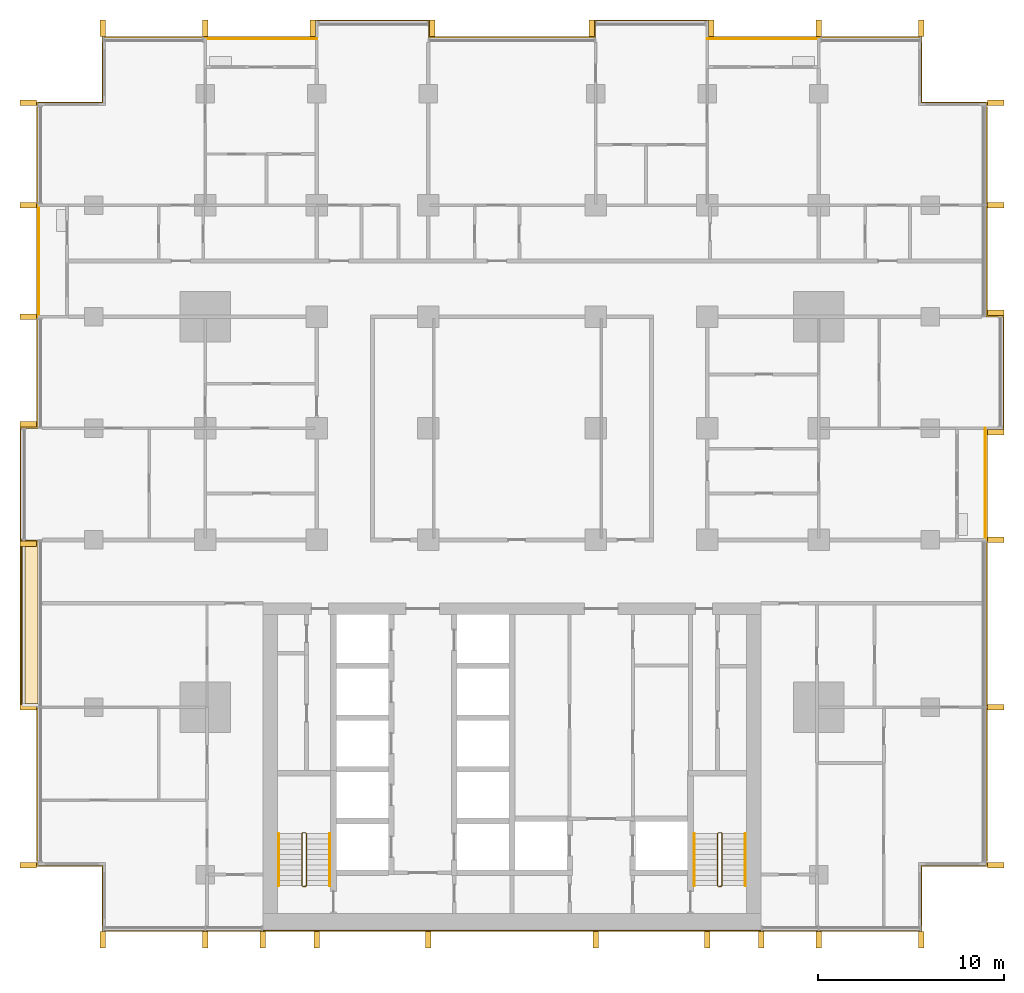
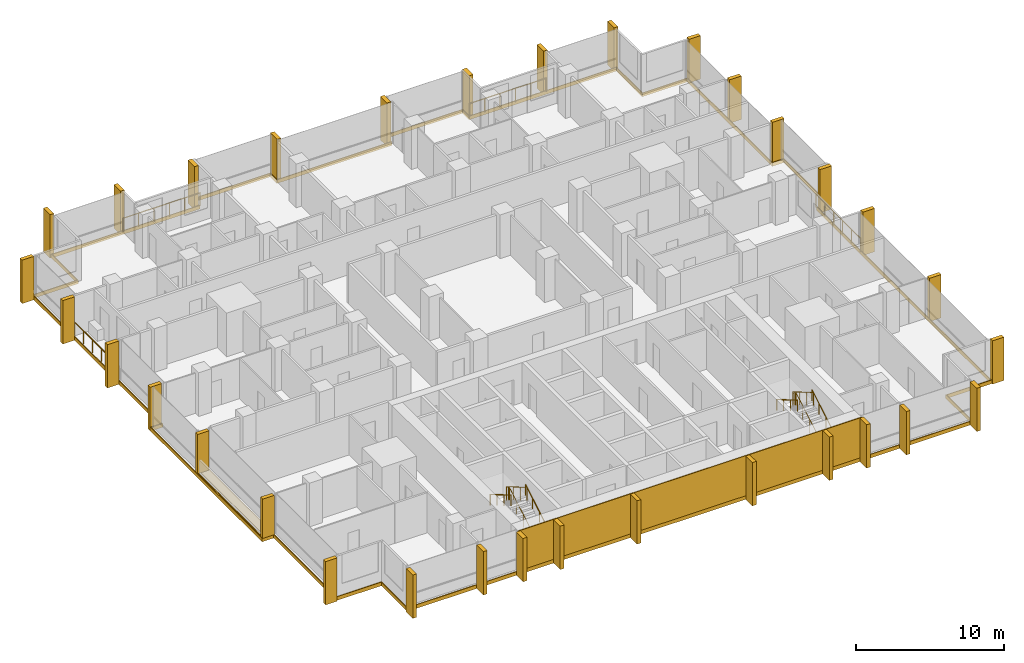
# One storey, part 18 of 18: 32 shading devices, 10 railings, 8 coverings.
"""IFC4 building model written with IfcOpenShell, lengths in metres."""

import ifcopenshell
import ifcopenshell.guid

model = None  # the IFC model being written
_history = None  # IfcOwnerHistory: only IFC2X3 demands one
_inside = {}  # id of a spatial element -> (the spatial element, [elements in it])
_under = {}  # id of a project, library or spatial element -> (it, [spatial elements below it])
_declared = {}  # id of a project -> (the project, [libraries it declares])
_typed = {}  # id of a type object -> (the type object, [elements of that type])
_made_of = {}  # id of a material, layer set ... -> (it, [elements and type objects made of it])


def new_model(schema):
    """Start an empty IFC model of exactly this schema.

    Asked for "IFC4X3", IfcOpenShell would pick the latest addendum, in which some entities
    have other attributes; the version numbers below select the first issue.
    IFC2X3 requires an IfcOwnerHistory on every rooted entity: one is made here for all.
    """
    global model, _history
    if schema == "IFC4X3":
        model = ifcopenshell.file(schema_version=(4, 3, 0, 0))
    else:
        model = ifcopenshell.file(schema=schema)
    _inside.clear()
    _under.clear()
    _declared.clear()
    _typed.clear()
    _made_of.clear()
    _history = None
    if model.schema == "IFC2X3":
        org = make("IfcOrganization", Name="unknown")
        user = make(
            "IfcPersonAndOrganization",
            ThePerson=make("IfcPerson", FamilyName="unknown"),
            TheOrganization=org,
        )
        app = make(
            "IfcApplication",
            ApplicationDeveloper=org,
            Version="unknown",
            ApplicationFullName="unknown",
            ApplicationIdentifier="unknown",
        )
        _history = make(
            "IfcOwnerHistory",
            OwningUser=user,
            OwningApplication=app,
            ChangeAction="ADDED",
            CreationDate=0,
        )
    return model


def make(cls, **values):
    """One entity of the class cls with the attributes given. An attribute that is None is left unset."""
    return model.create_entity(
        cls, **{name: value for name, value in values.items() if value is not None}
    )


def rooted(cls, **values):
    """An entity with a GlobalId (a new one), such as an element, a storey or a relation."""
    return make(cls, GlobalId=ifcopenshell.guid.new(), OwnerHistory=_history, **values)


def si_unit(unit_type, name, prefix=None):
    """IfcSIUnit, for example si_unit("LENGTHUNIT", "METRE", prefix="MILLI")."""
    return make("IfcSIUnit", UnitType=unit_type, Prefix=prefix, Name=name)


def assignment(units):
    """IfcUnitAssignment: the units of a project."""
    return None if units is None else make("IfcUnitAssignment", Units=units)


def point(xyz):
    """IfcCartesianPoint."""
    return None if xyz is None else make("IfcCartesianPoint", Coordinates=xyz)


def direction(xyz):
    """IfcDirection."""
    return None if xyz is None else make("IfcDirection", DirectionRatios=xyz)


def frame(location, z_axis=None, x_axis=None):
    """IfcAxis2Placement3D, a coordinate frame: its origin and axes. An axis left out is left unset."""
    return make(
        "IfcAxis2Placement3D",
        Location=point(location),
        Axis=direction(z_axis),
        RefDirection=direction(x_axis),
    )


def frame_2d(location, x_axis=None):
    """IfcAxis2Placement2D, a coordinate frame in the plane: its origin and x axis."""
    return make(
        "IfcAxis2Placement2D", Location=point(location), RefDirection=direction(x_axis)
    )


def origin():
    """The frame at (0, 0, 0) with its axes left unset."""
    return frame((0.0, 0.0, 0.0))


def origin_2d():
    """The frame at (0, 0) in the plane with its x axis left unset."""
    return frame_2d((0.0, 0.0))


def place(relative_to, where):
    """IfcLocalPlacement: puts the frame where relative to a parent placement (None: the world)."""
    return make(
        "IfcLocalPlacement", PlacementRelTo=relative_to, RelativePlacement=where
    )


def context(
    kind, dimensions, precision=None, world=None, true_north=None, identifier=None
):
    """IfcGeometricRepresentationContext, for example the 3D "Model" context."""
    return make(
        "IfcGeometricRepresentationContext",
        ContextIdentifier=identifier,
        ContextType=kind,
        CoordinateSpaceDimension=dimensions,
        Precision=precision,
        WorldCoordinateSystem=world,
        TrueNorth=true_north,
    )


def subcontext(parent, identifier, kind, view, scale=None):
    """IfcGeometricRepresentationSubContext, for example "Body" below "Model"."""
    return make(
        "IfcGeometricRepresentationSubContext",
        ContextIdentifier=identifier,
        ContextType=kind,
        ParentContext=parent,
        TargetScale=scale,
        TargetView=view,
    )


def project(units=None, contexts=None):
    """IfcProject with its units and contexts."""
    return rooted(
        "IfcProject",
        Name="project",
        RepresentationContexts=contexts,
        UnitsInContext=assignment(units),
    )


def spatial(cls, under=None, at=None, **own):
    """A site, building, storey or space (cls), placed at a placement, below another one or the project."""
    s = rooted(cls, ObjectPlacement=at, **own)
    if under is not None:
        _under.setdefault(under.id(), (under, []))[1].append(s)
    return s


def polyline(points):
    """IfcPolyline through the points."""
    return make("IfcPolyline", Points=[point(p) for p in points])


def profile(cls, at=None, kind="AREA", **sizes):
    """A parametric profile (cls). Its sizes go by their IFC names, for example OverallWidth=200.0."""
    return make(cls, ProfileType=kind, Position=at, **sizes)


def rectangle(**sizes):
    """IfcRectangleProfileDef."""
    return profile("IfcRectangleProfileDef", **sizes)


def circle(**sizes):
    """IfcCircleProfileDef."""
    return profile("IfcCircleProfileDef", **sizes)


def outline(outer, holes=None, kind="AREA"):
    """IfcArbitraryClosedProfileDef: a profile drawn as a closed curve; with holes, ...WithVoids."""
    if holes is None:
        return make("IfcArbitraryClosedProfileDef", ProfileType=kind, OuterCurve=outer)
    return make(
        "IfcArbitraryProfileDefWithVoids",
        ProfileType=kind,
        OuterCurve=outer,
        InnerCurves=holes,
    )


def extrude(swept, where, along, depth):
    """IfcExtrudedAreaSolid: the profile swept, set in the frame where, extruded along a direction by depth."""
    return make(
        "IfcExtrudedAreaSolid",
        SweptArea=swept,
        Position=where,
        ExtrudedDirection=direction(along),
        Depth=depth,
    )


def shape(context_of_items, identifier, shape_type, items):
    """IfcShapeRepresentation: the items that make up one representation, for example the "Body"."""
    return make(
        "IfcShapeRepresentation",
        ContextOfItems=context_of_items,
        RepresentationIdentifier=identifier,
        RepresentationType=shape_type,
        Items=items,
    )


def material(Name=None, Category=None):
    """IfcMaterial."""
    return make("IfcMaterial", Name=Name, Category=Category)


def layer(
    of_material, thickness, ventilated=None, Name=None, Category=None, Priority=None
):
    """IfcMaterialLayer: one layer of a wall or slab, of a material (None: an air gap)."""
    return make(
        "IfcMaterialLayer",
        Material=of_material,
        LayerThickness=thickness,
        IsVentilated=ventilated,
        Name=Name,
        Category=Category,
        Priority=Priority,
    )


def layer_set(layers, Name=None):
    """IfcMaterialLayerSet."""
    return make("IfcMaterialLayerSet", MaterialLayers=layers, LayerSetName=Name)


def made_of(thing, what):
    """Note that an element or type object is made of a material, layer set ...; save() writes the relation."""
    if what is not None:
        _made_of.setdefault(what.id(), (what, []))[1].append(thing)
    return thing


def type_object(cls, material=None, **own):
    """A type object (cls), such as IfcWallType, which elements share."""
    return made_of(rooted(cls, **own), material)


def element(
    cls,
    number,
    at=None,
    inside=None,
    cuts=None,
    type_object=None,
    material=None,
    context=None,
    identifier="Body",
    shape_type=None,
    held_by="IfcProductDefinitionShape",
    body=None,
    shapes=None,
    **own,
):
    """One element of the class cls, such as IfcWall. Its Tag is "e" and its number.

    at: its placement. inside: the storey or other place that contains it. cuts: it is an
    opening in that element (IfcRelVoidsElement). A single representation is given by context,
    identifier, shape_type and body (its items); several are given by shapes. held_by: the class
    of the entity that holds the representations. save() writes the other relations.
    """
    e = rooted(cls, Tag="e%d" % number, ObjectPlacement=at, **own)
    if body is not None:
        shapes = [shape(context, identifier, shape_type, body)]
    if shapes is not None:
        e.Representation = make(held_by, Representations=shapes)
    if inside is not None:
        _inside.setdefault(inside.id(), (inside, []))[1].append(e)
    if cuts is not None:
        rooted(
            "IfcRelVoidsElement", RelatingBuildingElement=cuts, RelatedOpeningElement=e
        )
    if type_object is not None:
        _typed.setdefault(type_object.id(), (type_object, []))[1].append(e)
    return made_of(e, material)


def aggregate(whole, parts):
    """IfcRelAggregates: a whole, such as a stair, and the parts it consists of."""
    return rooted("IfcRelAggregates", RelatingObject=whole, RelatedObjects=parts)


def save(model, path):
    """Write the relations noted so far, then the file.

    IfcRelAggregates (storeys below a building ...), IfcRelContainedInSpatialStructure (elements
    in a storey), IfcRelDefinesByType, IfcRelAssociatesMaterial and IfcRelDeclares: one each for
    every whole, place, type object, material and project.
    """
    for whole, parts in _under.values():
        aggregate(whole, parts)
    for where, things in _inside.values():
        rooted(
            "IfcRelContainedInSpatialStructure",
            RelatedElements=things,
            RelatingStructure=where,
        )
    for kind, things in _typed.values():
        rooted("IfcRelDefinesByType", RelatedObjects=things, RelatingType=kind)
    for what, things in _made_of.values():
        rooted("IfcRelAssociatesMaterial", RelatedObjects=things, RelatingMaterial=what)
    for by, libraries in _declared.values():
        rooted("IfcRelDeclares", RelatingContext=by, RelatedDefinitions=libraries)
    model.write(path)


model = new_model("IFC4")

# Units and contexts
model_context = context("Model", 3, precision=1e-05, world=origin(), true_north=direction((0.0, 1.0)))
body_context = subcontext(model_context, "Body", "Model", "MODEL_VIEW")
ifc_project = project(units=[si_unit("LENGTHUNIT", "METRE"), si_unit("AREAUNIT", "SQUARE_METRE"), si_unit("VOLUMEUNIT", "CUBIC_METRE"), si_unit("PLANEANGLEUNIT", "RADIAN"), si_unit("MASSUNIT", "GRAM", prefix="KILO")], contexts=[model_context])

# Site, building, storey
site_placement = place(None, origin())
site = spatial("IfcSite", under=ifc_project, at=site_placement, CompositionType="ELEMENT")
building_placement = place(site_placement, origin())
building = spatial("IfcBuilding", under=site, at=building_placement, Name="Finial Court Residences", CompositionType="ELEMENT")
storey_placement = place(building_placement, frame((0.0, 0.0, 84.699951171875)))
storey = spatial("IfcBuildingStorey", under=building, at=storey_placement, Name="L20", CompositionType="ELEMENT", Elevation=84.699951171875)

# Railings
ifc_material_1 = material(Name="Bronze anodised aluminium", Category="aluminium")
railing_type_1 = type_object("IfcRailingType", Name="Balcony guard 1100", PredefinedType="GUARDRAIL", material=ifc_material_1)
for number, where, name in (
    (1, (-16.5, 22.449951171875, 0.0), "E-L20-BALN2-R"),
    (2, (10.5, 22.449951171875, 0.0), "E-L20-BALN6-R"),
):
    element("IfcRailing", number, at=place(storey_placement, frame(where)), inside=storey, type_object=railing_type_1, Name=name, PredefinedType="GUARDRAIL", context=body_context, shape_type="SweptSolid", body=[
        extrude(circle(Radius=0.02392578125, at=origin_2d()), frame((0.0, 0.0, 1.076171875), z_axis=(1.0, 0.0, 0.0), x_axis=(0.0, 1.0, 0.0)), (0.0, 0.0, 1.0), 6.0),
        extrude(circle(Radius=0.02099609375, at=origin_2d()), origin(), (0.0, 0.0, 1.0), 1.052001953125),
        extrude(circle(Radius=0.02099609375, at=origin_2d()), frame((1.199951171875, 0.0, 0.0)), (0.0, 0.0, 1.0), 1.052001953125),
        extrude(circle(Radius=0.02099609375, at=origin_2d()), frame((2.39990234375, 0.0, 0.0)), (0.0, 0.0, 1.0), 1.052001953125),
        extrude(circle(Radius=0.02099609375, at=origin_2d()), frame((3.60009765625, 0.0, 0.0)), (0.0, 0.0, 1.0), 1.052001953125),
        extrude(circle(Radius=0.02099609375, at=origin_2d()), frame((4.800048828125, 0.0, 0.0)), (0.0, 0.0, 1.0), 1.052001953125),
        extrude(circle(Radius=0.02099609375, at=origin_2d()), frame((6.0, 0.0, 0.0)), (0.0, 0.0, 1.0), 1.052001953125),
    ])
for number, where, name in (
    (3, (25.449951171875, -4.5, 0.0), "E-L20-BALE3-R"),
    (4, (-25.449951171875, 7.5, 0.0), "E-L20-BALW5-R"),
):
    element("IfcRailing", number, at=place(storey_placement, frame(where)), inside=storey, type_object=railing_type_1, Name=name, PredefinedType="GUARDRAIL", context=body_context, shape_type="SweptSolid", body=[
        extrude(circle(Radius=0.02392578125, at=origin_2d()), frame((0.0, 0.0, 1.076171875), z_axis=(0.0, 1.0, 0.0), x_axis=(-1.0, 0.0, 0.0)), (0.0, 0.0, 1.0), 6.0),
        extrude(circle(Radius=0.02099609375, at=origin_2d()), origin(), (0.0, 0.0, 1.0), 1.052001953125),
        extrude(circle(Radius=0.02099609375, at=origin_2d()), frame((0.0, 1.199951171875, 0.0)), (0.0, 0.0, 1.0), 1.052001953125),
        extrude(circle(Radius=0.02099609375, at=origin_2d()), frame((0.0, 2.39990234375, 0.0)), (0.0, 0.0, 1.0), 1.052001953125),
        extrude(circle(Radius=0.02099609375, at=origin_2d()), frame((0.0, 3.60009765625, 0.0)), (0.0, 0.0, 1.0), 1.052001953125),
        extrude(circle(Radius=0.02099609375, at=origin_2d()), frame((0.0, 4.800048828125, 0.0)), (0.0, 0.0, 1.0), 1.052001953125),
        extrude(circle(Radius=0.02099609375, at=origin_2d()), frame((0.0, 6.0, 0.0)), (0.0, 0.0, 1.0), 1.052001953125),
    ])

# Coverings
ifc_material_2 = material(Name="Natural limestone", Category="masonry")
ifc_layer_1 = layer(ifc_material_2, 0.06005859375)
ifc_layer_set_1 = layer_set([ifc_layer_1], Name="Limestone cladding to the blind core face 60")
covering_type_1 = type_object("IfcCoveringType", Name="Limestone cladding to the blind core face 60", PredefinedType="CLADDING", material=ifc_layer_set_1)
covering_1_placement = place(storey_placement, origin())
element("IfcCovering", 5, at=covering_1_placement, inside=storey, type_object=covering_type_1, Name="E-L20-CLAD1", PredefinedType="CLADDING", context=body_context, shape_type="SweptSolid", body=[
    extrude(outline(polyline([(-10.5, -25.56005859375), (-10.5, -25.5), (-13.39990234375, -25.5), (-13.39990234375, -25.56005859375), (-10.5, -25.56005859375)])), origin(), (0.0, 0.0, 1.0), 3.300048828125),
])
covering_2_placement = place(storey_placement, origin())
element("IfcCovering", 6, at=covering_2_placement, inside=storey, type_object=covering_type_1, Name="E-L20-CLAD2", PredefinedType="CLADDING", context=body_context, shape_type="SweptSolid", body=[
    extrude(outline(polyline([(-4.5, -25.56005859375), (-4.5, -25.5), (-10.5, -25.5), (-10.5, -25.56005859375), (-4.5, -25.56005859375)])), origin(), (0.0, 0.0, 1.0), 3.300048828125),
])
covering_3_placement = place(storey_placement, origin())
element("IfcCovering", 7, at=covering_3_placement, inside=storey, type_object=covering_type_1, Name="E-L20-CLAD3", PredefinedType="CLADDING", context=body_context, shape_type="SweptSolid", body=[
    extrude(outline(polyline([(4.5, -25.56005859375), (4.5, -25.5), (-4.5, -25.5), (-4.5, -25.56005859375), (4.5, -25.56005859375)])), origin(), (0.0, 0.0, 1.0), 3.300048828125),
])
covering_4_placement = place(storey_placement, origin())
element("IfcCovering", 8, at=covering_4_placement, inside=storey, type_object=covering_type_1, Name="E-L20-CLAD4", PredefinedType="CLADDING", context=body_context, shape_type="SweptSolid", body=[
    extrude(outline(polyline([(10.5, -25.56005859375), (10.5, -25.5), (4.5, -25.5), (4.5, -25.56005859375), (10.5, -25.56005859375)])), origin(), (0.0, 0.0, 1.0), 3.300048828125),
])
covering_5_placement = place(storey_placement, origin())
element("IfcCovering", 9, at=covering_5_placement, inside=storey, type_object=covering_type_1, Name="E-L20-CLAD5", PredefinedType="CLADDING", context=body_context, shape_type="SweptSolid", body=[
    extrude(outline(polyline([(13.39990234375, -25.56005859375), (13.39990234375, -25.5), (10.5, -25.5), (10.5, -25.56005859375), (13.39990234375, -25.56005859375)])), origin(), (0.0, 0.0, 1.0), 3.300048828125),
])

# Shading devices
shading_device_type = type_object("IfcShadingDeviceType", Name="Limestone fin 300 x 900", PredefinedType="USERDEFINED", material=ifc_material_2)
for number, where, z_axis, x_axis, name in (
    (10, (-22.0, 23.010009765625, -0.300048828125), (0.0, 0.0, 1.0), (1.0, 0.0, 0.0), "E-L20-FIN-N1"),
    (11, (-16.5, 23.010009765625, -0.300048828125), (0.0, 0.0, 1.0), (1.0, 0.0, 0.0), "E-L20-FIN-N2"),
    (12, (-10.7099609375, 23.010009765625, -0.300048828125), (0.0, 0.0, 1.0), (1.0, 0.0, 0.0), "E-L20-FIN-N3"),
    (13, (-4.2900390625, 23.010009765625, -0.300048828125), (0.0, 0.0, 1.0), (1.0, 0.0, 0.0), "E-L20-FIN-N4"),
    (14, (4.2900390625, 23.010009765625, -0.300048828125), (0.0, 0.0, 1.0), (1.0, 0.0, 0.0), "E-L20-FIN-N5"),
    (15, (10.7099609375, 23.010009765625, -0.300048828125), (0.0, 0.0, 1.0), (1.0, 0.0, 0.0), "E-L20-FIN-N6"),
    (16, (16.5, 23.010009765625, -0.300048828125), (0.0, 0.0, 1.0), (1.0, 0.0, 0.0), "E-L20-FIN-N7"),
    (17, (22.0, 23.010009765625, -0.300048828125), (0.0, 0.0, 1.0), (1.0, 0.0, 0.0), "E-L20-FIN-N8"),
):
    element("IfcShadingDevice", number, at=place(storey_placement, frame(where, z_axis=z_axis, x_axis=x_axis)), inside=storey, type_object=shading_device_type, Name=name, ObjectType="FIN", PredefinedType="USERDEFINED", context=body_context, shape_type="SweptSolid", body=[
        extrude(rectangle(XDim=0.300048828125, YDim=0.89990234375, at=origin_2d()), origin(), (0.0, 0.0, 1.0), 3.580078125),
    ])
for number, where, z_axis, x_axis, name in (
    (18, (26.010009765625, -22.0, -0.300048828125), (0.0, 0.0, 1.0), (1.0, 0.0, 0.0), "E-L20-FIN-E9"),
    (19, (26.010009765625, -13.5, -0.300048828125), (0.0, 0.0, 1.0), (1.0, 0.0, 0.0), "E-L20-FIN-E10"),
    (20, (26.010009765625, -4.5, -0.300048828125), (0.0, 0.0, 1.0), (1.0, 0.0, 0.0), "E-L20-FIN-E11"),
    (21, (26.010009765625, 1.2900390625, -0.300048828125), (0.0, 0.0, 1.0), (1.0, 0.0, 0.0), "E-L20-FIN-E12"),
    (22, (26.010009765625, 7.7099609375, -0.300048828125), (0.0, 0.0, 1.0), (1.0, 0.0, 0.0), "E-L20-FIN-E13"),
    (23, (26.010009765625, 13.5, -0.300048828125), (0.0, 0.0, 1.0), (1.0, 0.0, 0.0), "E-L20-FIN-E14"),
    (24, (26.010009765625, 19.0, -0.300048828125), (0.0, 0.0, 1.0), (1.0, 0.0, 0.0), "E-L20-FIN-E15"),
):
    element("IfcShadingDevice", number, at=place(storey_placement, frame(where, z_axis=z_axis, x_axis=x_axis)), inside=storey, type_object=shading_device_type, Name=name, ObjectType="FIN", PredefinedType="USERDEFINED", context=body_context, shape_type="SweptSolid", body=[
        extrude(rectangle(XDim=0.89990234375, YDim=0.300048828125, at=origin_2d()), origin(), (0.0, 0.0, 1.0), 3.580078125),
    ])
for number, where, z_axis, x_axis, name in (
    (25, (-22.0, -26.010009765625, -0.300048828125), (0.0, 0.0, 1.0), (1.0, 0.0, 0.0), "E-L20-FIN-S16"),
    (26, (-16.5, -26.010009765625, -0.300048828125), (0.0, 0.0, 1.0), (1.0, 0.0, 0.0), "E-L20-FIN-S17"),
    (27, (-13.39990234375, -26.010009765625, -0.300048828125), (0.0, 0.0, 1.0), (1.0, 0.0, 0.0), "E-L20-FIN-S18"),
    (28, (-10.5, -26.010009765625, -0.300048828125), (0.0, 0.0, 1.0), (1.0, 0.0, 0.0), "E-L20-FIN-S19"),
    (29, (-4.5, -26.010009765625, -0.300048828125), (0.0, 0.0, 1.0), (1.0, 0.0, 0.0), "E-L20-FIN-S20"),
    (30, (4.5, -26.010009765625, -0.300048828125), (0.0, 0.0, 1.0), (1.0, 0.0, 0.0), "E-L20-FIN-S21"),
    (31, (10.5, -26.010009765625, -0.300048828125), (0.0, 0.0, 1.0), (1.0, 0.0, 0.0), "E-L20-FIN-S22"),
    (32, (13.39990234375, -26.010009765625, -0.300048828125), (0.0, 0.0, 1.0), (1.0, 0.0, 0.0), "E-L20-FIN-S23"),
    (33, (16.5, -26.010009765625, -0.300048828125), (0.0, 0.0, 1.0), (1.0, 0.0, 0.0), "E-L20-FIN-S24"),
    (34, (22.0, -26.010009765625, -0.300048828125), (0.0, 0.0, 1.0), (1.0, 0.0, 0.0), "E-L20-FIN-S25"),
):
    element("IfcShadingDevice", number, at=place(storey_placement, frame(where, z_axis=z_axis, x_axis=x_axis)), inside=storey, type_object=shading_device_type, Name=name, ObjectType="FIN", PredefinedType="USERDEFINED", context=body_context, shape_type="SweptSolid", body=[
        extrude(rectangle(XDim=0.300048828125, YDim=0.89990234375, at=origin_2d()), origin(), (0.0, 0.0, 1.0), 3.580078125),
    ])
shading_device_placement = place(storey_placement, frame((-26.010009765625, -22.0, -0.300048828125), z_axis=(0.0, 0.0, 1.0), x_axis=(1.0, 0.0, 0.0)))
element("IfcShadingDevice", 35, at=shading_device_placement, inside=storey, type_object=shading_device_type, Name="E-L20-FIN-W26", ObjectType="FIN", PredefinedType="USERDEFINED", context=body_context, shape_type="SweptSolid", body=[
    extrude(rectangle(XDim=0.89990234375, YDim=0.300048828125, at=origin_2d()), origin(), (0.0, 0.0, 1.0), 3.580078125),
])
for number, where, z_axis, x_axis, name in (
    (36, (-26.010009765625, -13.5, 0.0400390625), (0.0, 0.0, 1.0), (1.0, 0.0, 0.0), "E-L20-FIN-W27"),
    (37, (-26.010009765625, -4.7099609375, 0.0400390625), (0.0, 0.0, 1.0), (1.0, 0.0, 0.0), "E-L20-FIN-W28"),
):
    element("IfcShadingDevice", number, at=place(storey_placement, frame(where, z_axis=z_axis, x_axis=x_axis)), inside=storey, type_object=shading_device_type, Name=name, ObjectType="FIN", PredefinedType="USERDEFINED", context=body_context, shape_type="SweptSolid", body=[
        extrude(rectangle(XDim=0.89990234375, YDim=0.300048828125, at=origin_2d()), origin(), (0.0, 0.0, 1.0), 3.239990234375),
    ])
for number, where, z_axis, x_axis, name in (
    (38, (-26.010009765625, 1.7099609375, -0.300048828125), (0.0, 0.0, 1.0), (1.0, 0.0, 0.0), "E-L20-FIN-W29"),
    (39, (-26.010009765625, 7.5, -0.300048828125), (0.0, 0.0, 1.0), (1.0, 0.0, 0.0), "E-L20-FIN-W30"),
    (40, (-26.010009765625, 13.5, -0.300048828125), (0.0, 0.0, 1.0), (1.0, 0.0, 0.0), "E-L20-FIN-W31"),
    (41, (-26.010009765625, 19.0, -0.300048828125), (0.0, 0.0, 1.0), (1.0, 0.0, 0.0), "E-L20-FIN-W32"),
):
    element("IfcShadingDevice", number, at=place(storey_placement, frame(where, z_axis=z_axis, x_axis=x_axis)), inside=storey, type_object=shading_device_type, Name=name, ObjectType="FIN", PredefinedType="USERDEFINED", context=body_context, shape_type="SweptSolid", body=[
        extrude(rectangle(XDim=0.89990234375, YDim=0.300048828125, at=origin_2d()), origin(), (0.0, 0.0, 1.0), 3.580078125),
    ])

# Coverings
ifc_material_3 = material(Name="Pale limestone", Category="masonry")
ifc_layer_2 = layer(ifc_material_3, 0.06005859375)
ifc_layer_set_2 = layer_set([ifc_layer_2], Name="Pale limestone slab-edge band 60")
covering_type_2 = type_object("IfcCoveringType", Name="Pale limestone slab-edge band 60", PredefinedType="CLADDING", material=ifc_layer_set_2)
covering_6_placement = place(storey_placement, frame((0.0, 0.0, -0.300048828125)))
element("IfcCovering", 42, at=covering_6_placement, inside=storey, type_object=covering_type_2, Name="E-L20-BAND1", PredefinedType="CLADDING", context=body_context, shape_type="SweptSolid", body=[
    extrude(outline(polyline([(-25.56005859375, 1.56005859375), (-25.56005859375, 19.06005859375), (-22.06005859375, 19.06005859375), (-22.06005859375, 22.56005859375), (-10.56005859375, 22.56005859375), (-10.56005859375, 23.4599609375), (-4.43994140625, 23.4599609375), (-4.43994140625, 22.56005859375), (4.43994140625, 22.56005859375), (4.43994140625, 23.4599609375), (10.56005859375, 23.4599609375), (10.56005859375, 22.56005859375), (22.06005859375, 22.56005859375), (22.06005859375, 19.06005859375), (25.56005859375, 19.06005859375), (25.56005859375, 7.56005859375), (26.4599609375, 7.56005859375), (26.4599609375, 1.43994140625), (25.56005859375, 1.43994140625), (25.56005859375, -22.06005859375), (22.06005859375, -22.06005859375), (22.06005859375, -25.56005859375), (-22.06005859375, -25.56005859375), (-22.06005859375, -22.06005859375), (-25.56005859375, -22.06005859375), (-25.56005859375, -13.56005859375), (-26.4599609375, -13.56005859375), (-26.4599609375, 1.56005859375), (-25.56005859375, 1.56005859375)]), holes=[polyline([(-26.39990234375, -13.5), (-25.5, -13.5), (-25.5, -22.0), (-22.0, -22.0), (-22.0, -25.5), (22.0, -25.5), (22.0, -22.0), (25.5, -22.0), (25.5, -4.5), (25.5, 1.5), (26.39990234375, 1.5), (26.39990234375, 7.5), (25.5, 7.5), (25.5, 19.0), (22.0, 19.0), (22.0, 22.5), (16.5, 22.5), (10.5, 22.5), (10.5, 23.39990234375), (4.5, 23.39990234375), (4.5, 22.5), (-4.5, 22.5), (-4.5, 23.39990234375), (-10.5, 23.39990234375), (-10.5, 22.5), (-16.5, 22.5), (-22.0, 22.5), (-22.0, 19.0), (-25.5, 19.0), (-25.5, 13.5), (-25.5, 7.5), (-25.5, 1.5), (-26.39990234375, 1.5), (-26.39990234375, -4.5), (-26.39990234375, -13.5)])]), origin(), (0.0, 0.0, 1.0), 0.300048828125),
])
ifc_material_4 = material(Name="Bitumen membrane")
ifc_layer_3 = layer(ifc_material_4, 0.0400390625)
ifc_layer_set_3 = layer_set([ifc_layer_3], Name="Push box roofing, bitumen membrane 40")
covering_type_3 = type_object("IfcCoveringType", Name="Push box roofing, bitumen membrane 40", PredefinedType="ROOFING", material=ifc_layer_set_3)
covering_7_placement = place(storey_placement, origin())
element("IfcCovering", 43, at=covering_7_placement, inside=storey, type_object=covering_type_3, Name="E-L20-LED1", PredefinedType="ROOFING", context=body_context, shape_type="SweptSolid", body=[
    extrude(outline(polyline([(-25.5, -13.300048828125), (-26.199951171875, -13.300048828125), (-26.199951171875, -4.5), (-25.5, -4.5), (-25.5, -13.300048828125)])), origin(), (0.0, 0.0, 1.0), 0.0400390625),
])
covering_8_placement = place(storey_placement, origin())
element("IfcCovering", 44, at=covering_8_placement, inside=storey, type_object=covering_type_3, Name="E-L20-LED1b", PredefinedType="ROOFING", context=body_context, shape_type="SweptSolid", body=[
    extrude(outline(polyline([(-25.5, -13.5), (-26.39990234375, -13.5), (-26.39990234375, -4.5), (-26.35009765625, -4.5), (-26.35009765625, -13.300048828125), (-26.35009765625, -13.300048828125), (-26.35009765625, -13.449951171875), (-25.5, -13.449951171875), (-25.5, -13.5)])), origin(), (0.0, 0.0, 1.0), 0.0400390625),
])

# Railings
ifc_material_5 = material(Name="Stainless steel railing", Category="steel")
railing_type_2 = type_object("IfcRailingType", Name="Stair guard 1100", PredefinedType="GUARDRAIL", material=ifc_material_5)
railing_1_placement = place(storey_placement, frame((-11.10009765625, -23.14990234375, 0.0)))
element("IfcRailing", 45, at=railing_1_placement, inside=storey, type_object=railing_type_2, Name="L20 ST-1 stair guard 1", PredefinedType="GUARDRAIL", context=body_context, shape_type="SweptSolid", body=[
    extrude(circle(Radius=0.02392578125, at=origin_2d()), frame((0.0, 0.0, 1.076171875), z_axis=(-1.0, 0.0, 0.0), x_axis=(0.0, -1.0, 0.0)), (0.0, 0.0, 1.0), 0.14990234375),
    extrude(circle(Radius=0.02392578125, at=origin_2d()), frame((-0.14990234375, 0.0, 1.076171875), z_axis=(0.760004195007, 0.189305074214, 0.621737253547), x_axis=(-0.241699205484, 0.970351222016, 0.0)), (0.0, 0.0, 1.0), 0.26318359375),
    extrude(circle(Radius=0.02392578125, at=origin_2d()), frame((0.050048828125, 0.0498046875, 1.23974609375), z_axis=(0.0, 0.863360870873, 0.504586966384), x_axis=(-1.0, 0.0, 0.0)), (0.0, 0.0, 1.0), 3.2431640625),
    extrude(circle(Radius=0.02392578125, at=origin_2d()), frame((0.050048828125, 2.849853515625, 2.8759765625), z_axis=(-0.707106781187, 0.707106781187, 0.0), x_axis=(-0.707106781187, -0.707106781187, 0.0)), (0.0, 0.0, 1.0), 0.07080078125),
    extrude(circle(Radius=0.02392578125, at=origin_2d()), frame((0.0, 2.89990234375, 2.8759765625), z_axis=(-1.0, 0.0, 0.0), x_axis=(0.0, -1.0, 0.0)), (0.0, 0.0, 1.0), 0.14990234375),
    extrude(circle(Radius=0.02392578125, at=origin_2d()), frame((-0.14990234375, 2.89990234375, 2.8759765625), z_axis=(-0.280808744504, -0.280808744504, 0.917765164963), x_axis=(0.707106781187, -0.707106781187, 0.0)), (0.0, 0.0, 1.0), 0.17822265625),
    extrude(circle(Radius=0.02392578125, at=origin_2d()), frame((-0.199951171875, 2.849853515625, 3.03955078125), z_axis=(0.0, -0.863360870873, 0.504586966384), x_axis=(1.0, 0.0, 0.0)), (0.0, 0.0, 1.0), 3.2431640625),
    extrude(circle(Radius=0.02099609375, at=origin_2d()), origin(), (0.0, 0.0, 1.0), 1.052001953125),
    extrude(circle(Radius=0.02099609375, at=origin_2d()), frame((-0.14990234375, 0.0, 0.0)), (0.0, 0.0, 1.0), 1.052001953125),
    extrude(circle(Radius=0.02099609375, at=origin_2d()), frame((0.050048828125, 0.0498046875, 0.16357421875)), (0.0, 0.0, 1.0), 1.052001953125),
    extrude(circle(Radius=0.02099609375, at=origin_2d()), frame((0.050048828125, 0.983154296875, 0.708984375)), (0.0, 0.0, 1.0), 1.052001953125),
    extrude(circle(Radius=0.02099609375, at=origin_2d()), frame((0.050048828125, 1.91650390625, 1.254638671875)), (0.0, 0.0, 1.0), 1.052001953125),
    extrude(circle(Radius=0.02099609375, at=origin_2d()), frame((0.050048828125, 2.849853515625, 1.800048828125)), (0.0, 0.0, 1.0), 1.052001953125),
    extrude(circle(Radius=0.02099609375, at=origin_2d()), frame((0.0, 2.89990234375, 1.800048828125)), (0.0, 0.0, 1.0), 1.052001953125),
    extrude(circle(Radius=0.02099609375, at=origin_2d()), frame((-0.14990234375, 2.89990234375, 1.800048828125)), (0.0, 0.0, 1.0), 1.052001953125),
    extrude(circle(Radius=0.02099609375, at=origin_2d()), frame((-0.199951171875, 2.849853515625, 1.963623046875)), (0.0, 0.0, 1.0), 1.052001953125),
    extrude(circle(Radius=0.02099609375, at=origin_2d()), frame((-0.199951171875, 1.91650390625, 2.509033203125)), (0.0, 0.0, 1.0), 1.052001953125),
    extrude(circle(Radius=0.02099609375, at=origin_2d()), frame((-0.199951171875, 0.983154296875, 3.0546875)), (0.0, 0.0, 1.0), 1.052001953125),
    extrude(circle(Radius=0.02099609375, at=origin_2d()), frame((-0.199951171875, 0.0498046875, 3.60009765625)), (0.0, 0.0, 1.0), 1.052001953125),
])
railing_2_placement = place(storey_placement, frame((11.25, -23.14990234375, 0.0)))
element("IfcRailing", 46, at=railing_2_placement, inside=storey, type_object=railing_type_2, Name="L20 ST-2 stair guard 1", PredefinedType="GUARDRAIL", context=body_context, shape_type="SweptSolid", body=[
    extrude(circle(Radius=0.02392578125, at=origin_2d()), frame((0.0, 0.0, 1.076171875), z_axis=(-1.0, 0.0, 0.0), x_axis=(0.0, -1.0, 0.0)), (0.0, 0.0, 1.0), 0.14990234375),
    extrude(circle(Radius=0.02392578125, at=origin_2d()), frame((-0.14990234375, 0.0, 1.076171875), z_axis=(0.760004195007, 0.189305074214, 0.621737253547), x_axis=(-0.241699205484, 0.970351222016, 0.0)), (0.0, 0.0, 1.0), 0.26318359375),
    extrude(circle(Radius=0.02392578125, at=origin_2d()), frame((0.050048828125, 0.0498046875, 1.23974609375), z_axis=(0.0, 0.863360870873, 0.504586966384), x_axis=(-1.0, 0.0, 0.0)), (0.0, 0.0, 1.0), 3.2431640625),
    extrude(circle(Radius=0.02392578125, at=origin_2d()), frame((0.050048828125, 2.849853515625, 2.8759765625), z_axis=(-0.707106781187, 0.707106781187, 0.0), x_axis=(-0.707106781187, -0.707106781187, 0.0)), (0.0, 0.0, 1.0), 0.07080078125),
    extrude(circle(Radius=0.02392578125, at=origin_2d()), frame((0.0, 2.89990234375, 2.8759765625), z_axis=(-1.0, 0.0, 0.0), x_axis=(0.0, -1.0, 0.0)), (0.0, 0.0, 1.0), 0.14990234375),
    extrude(circle(Radius=0.02392578125, at=origin_2d()), frame((-0.14990234375, 2.89990234375, 2.8759765625), z_axis=(-0.280808744504, -0.280808744504, 0.917765164963), x_axis=(0.707106781187, -0.707106781187, 0.0)), (0.0, 0.0, 1.0), 0.17822265625),
    extrude(circle(Radius=0.02392578125, at=origin_2d()), frame((-0.199951171875, 2.849853515625, 3.03955078125), z_axis=(0.0, -0.863360870873, 0.504586966384), x_axis=(1.0, 0.0, 0.0)), (0.0, 0.0, 1.0), 3.2431640625),
    extrude(circle(Radius=0.02099609375, at=origin_2d()), origin(), (0.0, 0.0, 1.0), 1.052001953125),
    extrude(circle(Radius=0.02099609375, at=origin_2d()), frame((-0.14990234375, 0.0, 0.0)), (0.0, 0.0, 1.0), 1.052001953125),
    extrude(circle(Radius=0.02099609375, at=origin_2d()), frame((0.050048828125, 0.0498046875, 0.16357421875)), (0.0, 0.0, 1.0), 1.052001953125),
    extrude(circle(Radius=0.02099609375, at=origin_2d()), frame((0.050048828125, 0.983154296875, 0.708984375)), (0.0, 0.0, 1.0), 1.052001953125),
    extrude(circle(Radius=0.02099609375, at=origin_2d()), frame((0.050048828125, 1.91650390625, 1.254638671875)), (0.0, 0.0, 1.0), 1.052001953125),
    extrude(circle(Radius=0.02099609375, at=origin_2d()), frame((0.050048828125, 2.849853515625, 1.800048828125)), (0.0, 0.0, 1.0), 1.052001953125),
    extrude(circle(Radius=0.02099609375, at=origin_2d()), frame((0.0, 2.89990234375, 1.800048828125)), (0.0, 0.0, 1.0), 1.052001953125),
    extrude(circle(Radius=0.02099609375, at=origin_2d()), frame((-0.14990234375, 2.89990234375, 1.800048828125)), (0.0, 0.0, 1.0), 1.052001953125),
    extrude(circle(Radius=0.02099609375, at=origin_2d()), frame((-0.199951171875, 2.849853515625, 1.963623046875)), (0.0, 0.0, 1.0), 1.052001953125),
    extrude(circle(Radius=0.02099609375, at=origin_2d()), frame((-0.199951171875, 1.91650390625, 2.509033203125)), (0.0, 0.0, 1.0), 1.052001953125),
    extrude(circle(Radius=0.02099609375, at=origin_2d()), frame((-0.199951171875, 0.983154296875, 3.0546875)), (0.0, 0.0, 1.0), 1.052001953125),
    extrude(circle(Radius=0.02099609375, at=origin_2d()), frame((-0.199951171875, 0.0498046875, 3.60009765625)), (0.0, 0.0, 1.0), 1.052001953125),
])
railing_type_3 = type_object("IfcRailingType", Name="Stair handrail 900", PredefinedType="HANDRAIL", material=ifc_material_5)
railing_3_placement = place(storey_placement, frame((-9.800048828125, -23.10009765625, 0.16357421875)))
element("IfcRailing", 47, at=railing_3_placement, inside=storey, type_object=railing_type_3, Name="L20 ST-1 stair handrail 1", PredefinedType="HANDRAIL", context=body_context, shape_type="SweptSolid", body=[
    extrude(circle(Radius=0.02392578125, at=origin_2d()), frame((0.0, 0.0, 0.8759765625), z_axis=(0.0, 0.863360870873, 0.504586966384), x_axis=(-1.0, 0.0, 0.0)), (0.0, 0.0, 1.0), 3.2431640625),
    extrude(circle(Radius=0.02099609375, at=origin_2d()), origin(), (0.0, 0.0, 1.0), 0.851806640625),
    extrude(circle(Radius=0.02099609375, at=origin_2d()), frame((0.0, 0.933349609375, 0.54541015625)), (0.0, 0.0, 1.0), 0.851806640625),
    extrude(circle(Radius=0.02099609375, at=origin_2d()), frame((0.0, 1.86669921875, 1.091064453125)), (0.0, 0.0, 1.0), 0.851806640625),
    extrude(circle(Radius=0.02099609375, at=origin_2d()), frame((0.0, 2.800048828125, 1.636474609375)), (0.0, 0.0, 1.0), 0.851806640625),
])
railing_4_placement = place(storey_placement, frame((-12.550048828125, -20.300048828125, 1.963623046875)))
element("IfcRailing", 48, at=railing_4_placement, inside=storey, type_object=railing_type_3, Name="L20 ST-1 stair handrail 2", PredefinedType="HANDRAIL", context=body_context, shape_type="SweptSolid", body=[
    extrude(circle(Radius=0.02392578125, at=origin_2d()), frame((0.0, 0.0, 0.8759765625), z_axis=(0.0, -0.863360870873, 0.504586966384), x_axis=(1.0, 0.0, 0.0)), (0.0, 0.0, 1.0), 3.2431640625),
    extrude(circle(Radius=0.02099609375, at=origin_2d()), origin(), (0.0, 0.0, 1.0), 0.851806640625),
    extrude(circle(Radius=0.02099609375, at=origin_2d()), frame((0.0, -0.933349609375, 0.54541015625)), (0.0, 0.0, 1.0), 0.851806640625),
    extrude(circle(Radius=0.02099609375, at=origin_2d()), frame((0.0, -1.86669921875, 1.091064453125)), (0.0, 0.0, 1.0), 0.851806640625),
    extrude(circle(Radius=0.02099609375, at=origin_2d()), frame((0.0, -2.800048828125, 1.636474609375)), (0.0, 0.0, 1.0), 0.851806640625),
])
railing_5_placement = place(storey_placement, frame((12.550048828125, -23.10009765625, 0.16357421875)))
element("IfcRailing", 49, at=railing_5_placement, inside=storey, type_object=railing_type_3, Name="L20 ST-2 stair handrail 1", PredefinedType="HANDRAIL", context=body_context, shape_type="SweptSolid", body=[
    extrude(circle(Radius=0.02392578125, at=origin_2d()), frame((0.0, 0.0, 0.8759765625), z_axis=(0.0, 0.863360870873, 0.504586966384), x_axis=(-1.0, 0.0, 0.0)), (0.0, 0.0, 1.0), 3.2431640625),
    extrude(circle(Radius=0.02099609375, at=origin_2d()), origin(), (0.0, 0.0, 1.0), 0.851806640625),
    extrude(circle(Radius=0.02099609375, at=origin_2d()), frame((0.0, 0.933349609375, 0.54541015625)), (0.0, 0.0, 1.0), 0.851806640625),
    extrude(circle(Radius=0.02099609375, at=origin_2d()), frame((0.0, 1.86669921875, 1.091064453125)), (0.0, 0.0, 1.0), 0.851806640625),
    extrude(circle(Radius=0.02099609375, at=origin_2d()), frame((0.0, 2.800048828125, 1.636474609375)), (0.0, 0.0, 1.0), 0.851806640625),
])
railing_6_placement = place(storey_placement, frame((9.800048828125, -20.300048828125, 1.963623046875)))
element("IfcRailing", 50, at=railing_6_placement, inside=storey, type_object=railing_type_3, Name="L20 ST-2 stair handrail 2", PredefinedType="HANDRAIL", context=body_context, shape_type="SweptSolid", body=[
    extrude(circle(Radius=0.02392578125, at=origin_2d()), frame((0.0, 0.0, 0.8759765625), z_axis=(0.0, -0.863360870873, 0.504586966384), x_axis=(1.0, 0.0, 0.0)), (0.0, 0.0, 1.0), 3.2431640625),
    extrude(circle(Radius=0.02099609375, at=origin_2d()), origin(), (0.0, 0.0, 1.0), 0.851806640625),
    extrude(circle(Radius=0.02099609375, at=origin_2d()), frame((0.0, -0.933349609375, 0.54541015625)), (0.0, 0.0, 1.0), 0.851806640625),
    extrude(circle(Radius=0.02099609375, at=origin_2d()), frame((0.0, -1.86669921875, 1.091064453125)), (0.0, 0.0, 1.0), 0.851806640625),
    extrude(circle(Radius=0.02099609375, at=origin_2d()), frame((0.0, -2.800048828125, 1.636474609375)), (0.0, 0.0, 1.0), 0.851806640625),
])

save(model, "model.ifc")
